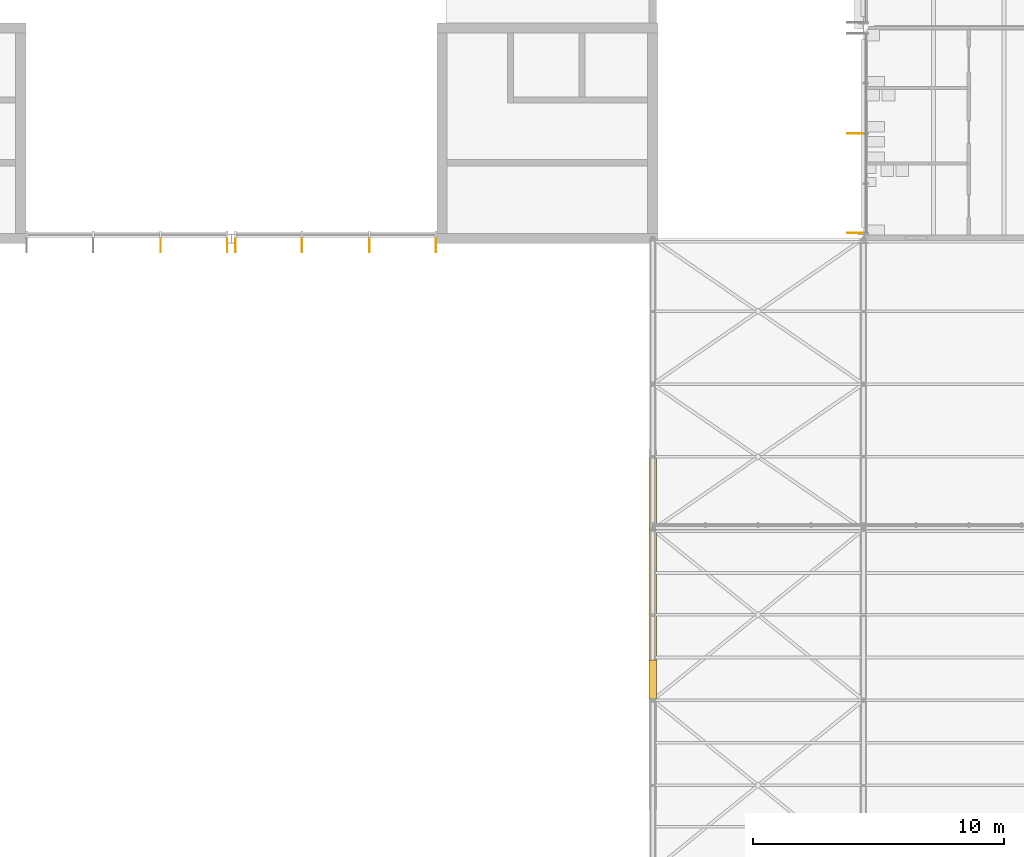
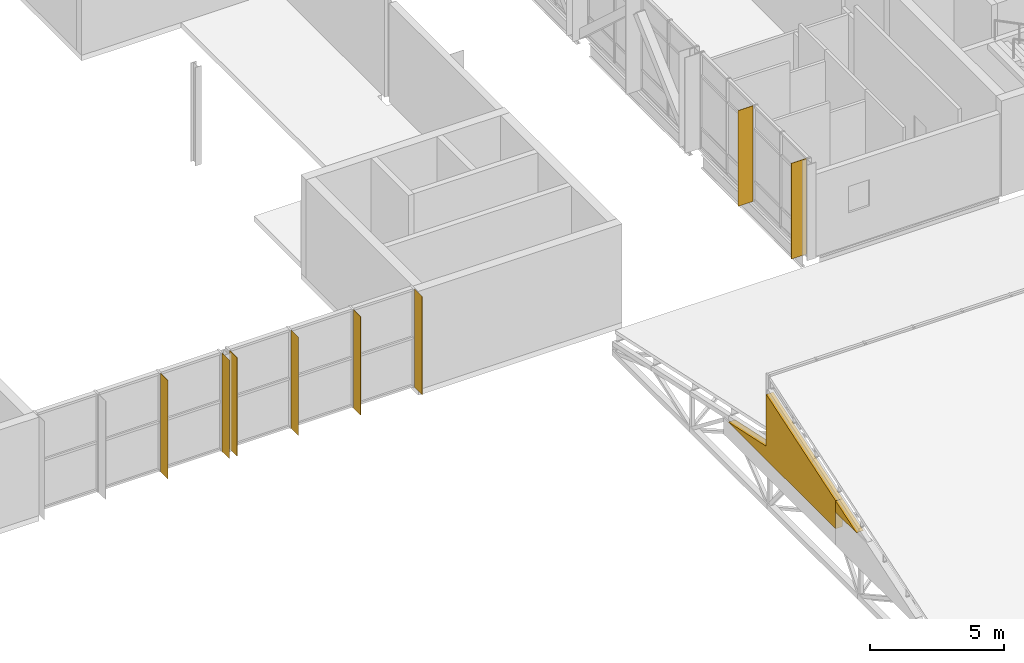
# One storey, part 82 of 89: 8 shading devices, 2 coverings.
"""IFC4 building model written with IfcOpenShell, lengths in metres."""

from ifc_helpers import new_model, si_unit, direction, frame, origin, origin_2d, place, context, subcontext, project, spatial, polyline, rectangle, outline, extrude, material, layer, layer_set, type_object, element, save


model = new_model("IFC4")

# Units and contexts
model_context = context("Model", 3, precision=1e-05, world=origin(), true_north=direction((0.0, 1.0)))
body_context = subcontext(model_context, "Body", "Model", "MODEL_VIEW")
ifc_project = project(units=[si_unit("LENGTHUNIT", "METRE"), si_unit("AREAUNIT", "SQUARE_METRE"), si_unit("VOLUMEUNIT", "CUBIC_METRE"), si_unit("PLANEANGLEUNIT", "RADIAN"), si_unit("MASSUNIT", "GRAM", prefix="KILO")], contexts=[model_context])

# Site, building, storey
site_placement = place(None, origin())
site = spatial("IfcSite", under=ifc_project, at=site_placement, CompositionType="ELEMENT")
building_placement = place(site_placement, origin())
building = spatial("IfcBuilding", under=site, at=building_placement, Name="Hlaing Beacon Police Headquarters", CompositionType="ELEMENT")
storey_placement = place(building_placement, frame((0.0, 0.0, 9.89990234375)))
storey = spatial("IfcBuildingStorey", under=building, at=storey_placement, Name="L02", CompositionType="ELEMENT", Elevation=9.89990234375)

# Shading devices
ifc_material_1 = material(Name="Aluminium 6063-T5 anodised", Category="aluminium")
ifc_layer_1 = layer(ifc_material_1, 0.011962890625)
ifc_layer_set_1 = layer_set([ifc_layer_1], Name="Aluminium 6063-T5 anodised")
shading_device_type_1 = type_object("IfcShadingDeviceType", Name="Aluminium fin 12x550", PredefinedType="JALOUSIE", material=ifc_layer_set_1)
for number, where, z_axis, x_axis, name in (
    (1, (72.781005859375, 33.324951171875, 0.0), (0.0, 0.0, 1.0), (1.0, 0.0, 0.0), "Fin L02 S005.2"),
    (2, (75.431640625, 33.324951171875, 0.0), (0.0, 0.0, 1.0), (1.0, 0.0, 0.0), "Fin L02 S005.3"),
    (3, (75.768310546875, 33.324951171875, 0.0), (0.0, 0.0, 1.0), (1.0, 0.0, 0.0), "Fin L02 S006.0"),
    (4, (78.4189453125, 33.324951171875, 0.0), (0.0, 0.0, 1.0), (1.0, 0.0, 0.0), "Fin L02 S006.1"),
    (5, (81.109375, 33.324951171875, 0.0), (0.0, 0.0, 1.0), (1.0, 0.0, 0.0), "Fin L02 S006.2"),
    (6, (83.760009765625, 33.324951171875, 0.0), (0.0, 0.0, 1.0), (1.0, 0.0, 0.0), "Fin L02 S006.3"),
):
    element("IfcShadingDevice", number, at=place(storey_placement, frame(where, z_axis=z_axis, x_axis=x_axis)), inside=storey, type_object=shading_device_type_1, Name=name, PredefinedType="JALOUSIE", context=body_context, shape_type="SweptSolid", body=[
        extrude(rectangle(XDim=0.011962890625, YDim=0.550048828125, at=origin_2d()), origin(), (0.0, 0.0, 1.0), 4.5),
    ])
ifc_material_2 = material(Name="Aluminium 6063-T5 anodised", Category="aluminium")
ifc_layer_2 = layer(ifc_material_2, 0.01611328125)
ifc_layer_set_2 = layer_set([ifc_layer_2], Name="Aluminium 6063-T5 anodised")
shading_device_type_2 = type_object("IfcShadingDeviceType", Name="Aluminium fin 16x650", PredefinedType="JALOUSIE", material=ifc_layer_set_2)
for number, where, z_axis, x_axis, name in (
    (7, (100.47509765625, 37.797607421875, 0.0), (0.0, 0.0, 1.0), (0.0, -1.0, 0.0), "Fin L02 W033.2"),
    (8, (100.47509765625, 33.818115234375, 0.0), (0.0, 0.0, 1.0), (0.0, -1.0, 0.0), "Fin L02 W033.4"),
):
    element("IfcShadingDevice", number, at=place(storey_placement, frame(where, z_axis=z_axis, x_axis=x_axis)), inside=storey, type_object=shading_device_type_2, Name=name, PredefinedType="JALOUSIE", context=body_context, shape_type="SweptSolid", body=[
        extrude(rectangle(XDim=0.01611328125, YDim=0.64990234375, at=origin_2d()), origin(), (0.0, 0.0, 1.0), 4.3701171875),
    ])

# Coverings
ifc_material_3 = material(Name="Concrete C40/50 precast ribbed cladding", Category="concrete")
ifc_layer_3 = layer(ifc_material_3, 0.300048828125)
ifc_layer_set_3 = layer_set([ifc_layer_3], Name="Concrete C40/50 precast ribbed cladding")
covering_type = type_object("IfcCoveringType", Name="Closure panel, Precast ribbed wall 300", PredefinedType="CLADDING", material=ifc_layer_set_3)
covering_1_placement = place(storey_placement, frame((92.39990234375, 24.8330078125, 0.759033203125), z_axis=(0.0, 0.0, 1.0), x_axis=(0.0, -1.0, 0.0)))
element("IfcCovering", 9, at=covering_1_placement, inside=storey, type_object=covering_type, Name="Closure panel External wall L02 W007", PredefinedType="CLADDING", context=body_context, shape_type="SweptSolid", body=[
    extrude(outline(polyline([(0.0, 0.0), (8.032958984375, 0.0), (8.032958984375, 1.277099609375), (6.23291015625, 1.872802734375), (2.834716796875, 2.99755859375), (2.830810546875, 0.619873046875), (0.0, 0.009765625), (0.0, 0.0)])), frame((0.0, 0.14990234375, 0.0), z_axis=(0.0, -1.0, 0.0), x_axis=(1.0, 0.0, 0.0)), (0.0, 0.0, 1.0), 0.300048828125),
])
covering_2_placement = place(storey_placement, frame((92.39990234375, 16.800048828125, 1.51708984375), z_axis=(0.0, 0.0, 1.0), x_axis=(0.0, -1.0, 0.0)))
element("IfcCovering", 10, at=covering_2_placement, inside=storey, type_object=covering_type, Name="Closure panel External wall L02 W008", PredefinedType="CLADDING", context=body_context, shape_type="SweptSolid", body=[
    extrude(outline(polyline([(0.0, 0.0), (1.555908203125, 0.0), (1.555908203125, 0.005126953125), (0.0, 0.51904296875), (0.0, 0.0)])), frame((0.0, 0.14990234375, 0.0), z_axis=(0.0, -1.0, 0.0), x_axis=(1.0, 0.0, 0.0)), (0.0, 0.0, 1.0), 0.300048828125),
])

save(model, "model.ifc")
